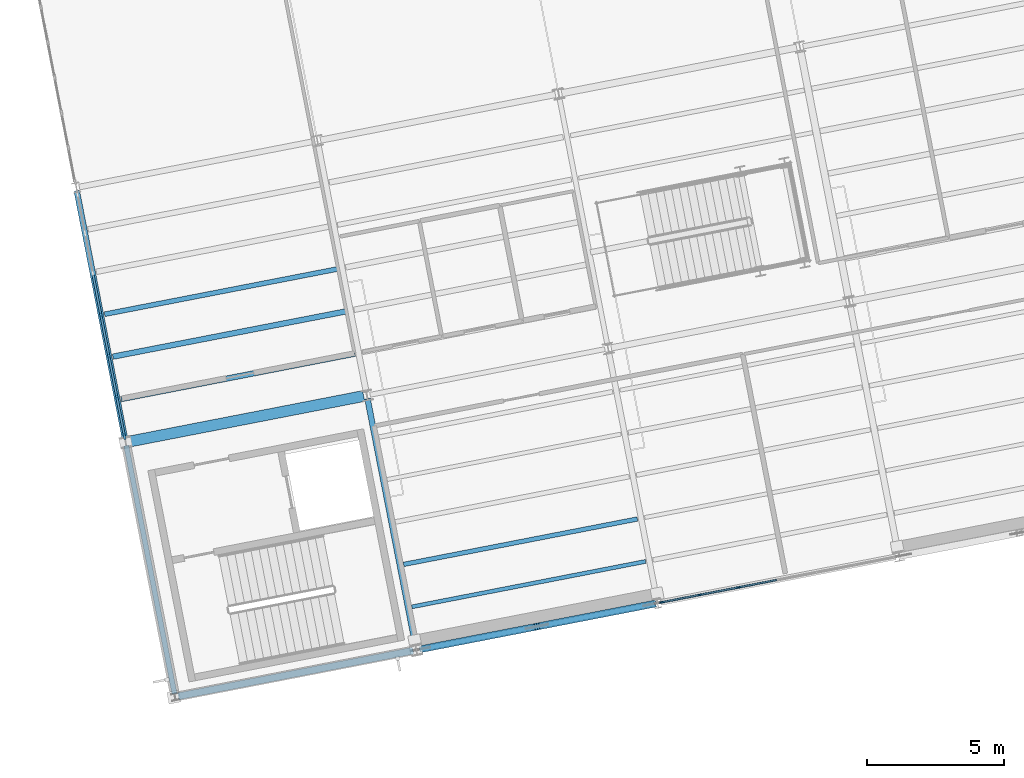
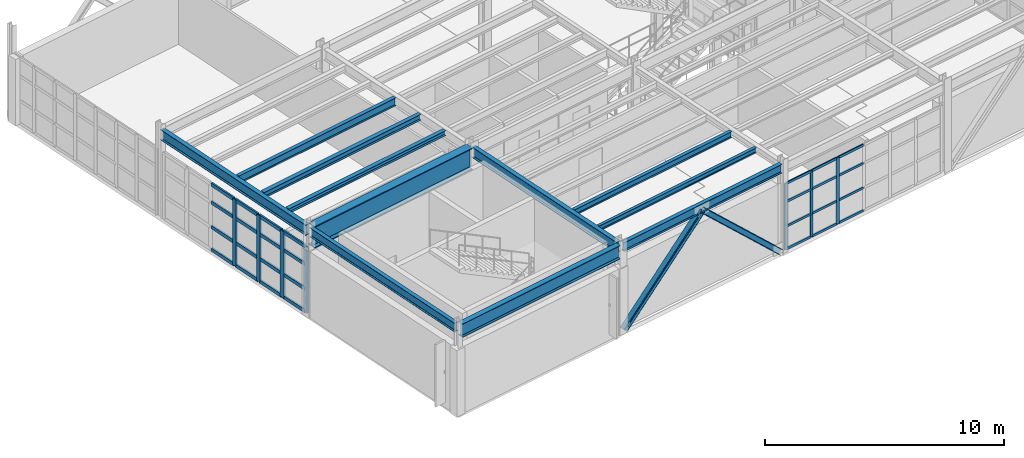
# One storey, part 20 of 109: 37 members, 11 beams, 2 elements without a shape of their own.
"""IFC4 building model written with IfcOpenShell, lengths in metres."""

from ifc_helpers import new_model, si_unit, direction, frame, origin, origin_2d, place, context, subcontext, project, spatial, rectangle, i_section, extrude, material, layer, layer_set, material_profile, profile_set, type_object, element, aggregate, save


model = new_model("IFC4")

# Units and contexts
model_context = context("Model", 3, precision=1e-05, world=origin(), true_north=direction((0.0, 1.0)))
body_context = subcontext(model_context, "Body", "Model", "MODEL_VIEW")
ifc_project = project(units=[si_unit("LENGTHUNIT", "METRE"), si_unit("AREAUNIT", "SQUARE_METRE"), si_unit("VOLUMEUNIT", "CUBIC_METRE"), si_unit("PLANEANGLEUNIT", "RADIAN"), si_unit("MASSUNIT", "GRAM", prefix="KILO")], contexts=[model_context])

# Site, building, storey
site_placement = place(None, origin())
site = spatial("IfcSite", under=ifc_project, at=site_placement, CompositionType="ELEMENT")
building_placement = place(site_placement, origin())
building = spatial("IfcBuilding", under=site, at=building_placement, Name="Vireo Bluff Cable Station", CompositionType="ELEMENT")
storey_placement = place(building_placement, frame((0.0, 0.0, 4.800048828125)))
storey = spatial("IfcBuildingStorey", under=building, at=storey_placement, Name="L01", CompositionType="ELEMENT", Elevation=4.800048828125)

# Beam
ifc_material_1 = material(Name="Steel ASTM A992 Gr. 50", Category="steel")
ifc_material_profile_1 = material_profile(ifc_material_1, i_section(OverallWidth=0.2099609375, OverallDepth=0.535888671875, WebThickness=0.010986328125, FlangeThickness=0.017333984375, FilletRadius=0.012939453125, at=origin_2d()), Name="W21X68")
ifc_profile_set_1 = profile_set([ifc_material_profile_1], Name="Steel ASTM A992 Gr. 50")
beam_type_1 = type_object("IfcBeamType", Name="BM-W21X68", PredefinedType="BEAM", material=ifc_profile_set_1)
beam_1_placement = place(storey_placement, frame((18.311767578125, 7.3349609375, 4.27197265625), z_axis=(-0.190799797627, 0.981628971264, 0.0), x_axis=(-0.981628971264, -0.190799797627, 0.0)))
element("IfcBeam", 1, at=beam_1_placement, inside=storey, type_object=beam_type_1, Name="V5 L01 beam 1206", PredefinedType="BEAM", context=body_context, shape_type="SweptSolid", body=[
    extrude(i_section(OverallWidth=0.2099609375, OverallDepth=0.535888671875, WebThickness=0.010986328125, FlangeThickness=0.017333984375, FilletRadius=0.012939453125, at=origin_2d()), origin(), (0.0, 0.0, 1.0), 9.26025390625),
])

# Members
ifc_material_profile_2 = material_profile(ifc_material_1, i_section(OverallWidth=0.2548828125, OverallDepth=0.256103515625, WebThickness=0.009521484375, FlangeThickness=0.015625, FilletRadius=0.009033203125, at=origin_2d()), Name="W10X54")
ifc_profile_set_2 = profile_set([ifc_material_profile_2], Name="Steel ASTM A992 Gr. 50")
member_type_1 = type_object("IfcMemberType", Name="BRC-02", PredefinedType="BRACE", material=ifc_profile_set_2)
member_1_placement = place(storey_placement, frame((18.49169921875, 7.247802734375, 0.0400390625), z_axis=(0.710296245471, 0.138070192816, 0.690228850111), x_axis=(-0.190812443151, 0.981626513262, 0.0)))
element("IfcMember", 2, at=member_1_placement, inside=storey, type_object=member_type_1, Name="V5 L01 concentric brace 97L", PredefinedType="BRACE", context=body_context, shape_type="SweptSolid", body=[
    extrude(i_section(OverallWidth=0.2548828125, OverallDepth=0.256103515625, WebThickness=0.009521484375, FlangeThickness=0.015625, FilletRadius=0.009033203125, at=origin_2d()), origin(), (0.0, 0.0, 1.0), 5.997802734375),
])
ifc_material_profile_3 = material_profile(ifc_material_1, i_section(OverallWidth=0.257080078125, OverallDepth=0.263916015625, WebThickness=0.011962890625, FlangeThickness=0.01953125, FilletRadius=0.009033203125, at=origin_2d()), Name="W10X68")
ifc_profile_set_3 = profile_set([ifc_material_profile_3], Name="Steel ASTM A992 Gr. 50")
member_type_2 = type_object("IfcMemberType", Name="BRC-03", PredefinedType="BRACE", material=ifc_profile_set_3)
member_2_placement = place(storey_placement, frame((27.01220703125, 8.904052734375, 0.0400390625), z_axis=(-0.710296245471, -0.138070192816, 0.690228850111), x_axis=(0.190812443151, -0.981626513262, 0.0)))
element("IfcMember", 3, at=member_2_placement, inside=storey, type_object=member_type_2, Name="V5 L01 concentric brace 98R", PredefinedType="BRACE", context=body_context, shape_type="SweptSolid", body=[
    extrude(i_section(OverallWidth=0.257080078125, OverallDepth=0.263916015625, WebThickness=0.011962890625, FlangeThickness=0.01953125, FilletRadius=0.009033203125, at=origin_2d()), origin(), (0.0, 0.0, 1.0), 5.997802734375),
])

# Curtain wall, members
ifc_material_2 = material(Name="Anodized Aluminium 6063-T6", Category="aluminium")
ifc_layer_1 = layer(ifc_material_2, 0.179931640625, Name="Anodized Aluminium 6063-T6")
ifc_layer_set_1 = layer_set([ifc_layer_1], Name="Anodized Aluminium 6063-T6")
curtain_wall_type_1 = type_object("IfcCurtainWallType", Name="CW-UNIT-1500", PredefinedType="USERDEFINED", material=ifc_layer_set_1)
curtain_wall_1_placement = place(storey_placement, origin())
curtain_wall_1 = element("IfcCurtainWall", 4, at=curtain_wall_1_placement, inside=storey, type_object=curtain_wall_type_1, Name="V5 L01 south curtain wall CW-118", ObjectType="UNITISED CURTAIN WALL", PredefinedType="USERDEFINED")
ifc_material_profile_4 = material_profile(ifc_material_2, rectangle(XDim=0.06005859375, YDim=0.159912109375, at=origin_2d()), Name="ALU-M-60X160")
ifc_profile_set_4 = profile_set([ifc_material_profile_4], Name="Anodized Aluminium 6063-T6")
member_type_3 = type_object("IfcMemberType", Name="CWM-03", PredefinedType="MULLION", material=ifc_profile_set_4)
member_3_placement = place(storey_placement, frame((30.138427734375, 9.51171875, 0.0), z_axis=(0.0, 0.0, 1.0), x_axis=(0.190809095431, -0.981627163999, 0.0)))
member_3 = element("IfcMember", 5, at=member_3_placement, type_object=member_type_3, Name="CW-118 mullion 5", PredefinedType="MULLION", context=body_context, shape_type="SweptSolid", body=[
    extrude(rectangle(XDim=0.06005859375, YDim=0.159912109375, at=origin_2d()), origin(), (0.0, 0.0, 1.0), 3.39990234375),
])
member_4_placement = place(storey_placement, frame((28.7177734375, 9.235595703125, 0.0), z_axis=(0.0, 0.0, 1.0), x_axis=(0.190809095431, -0.981627163999, 0.0)))
member_4 = element("IfcMember", 6, at=member_4_placement, type_object=member_type_3, Name="CW-118 mullion 6", PredefinedType="MULLION", context=body_context, shape_type="SweptSolid", body=[
    extrude(rectangle(XDim=0.06005859375, YDim=0.159912109375, at=origin_2d()), origin(), (0.0, 0.0, 1.0), 3.39990234375),
])
member_5_placement = place(storey_placement, frame((27.326904296875, 8.965087890625, 0.0), z_axis=(0.0, 0.0, 1.0), x_axis=(0.190809095431, -0.981627163999, 0.0)))
member_5 = element("IfcMember", 7, at=member_5_placement, type_object=member_type_3, Name="CW-118 mullion 7", PredefinedType="MULLION", context=body_context, shape_type="SweptSolid", body=[
    extrude(rectangle(XDim=0.06005859375, YDim=0.159912109375, at=origin_2d()), origin(), (0.0, 0.0, 1.0), 3.39990234375),
])

ifc_layer_2 = layer(ifc_material_2, 0.179931640625, Name="Anodized Aluminium 6063-T6")
ifc_layer_set_2 = layer_set([ifc_layer_2], Name="Anodized Aluminium 6063-T6")
curtain_wall_type_2 = type_object("IfcCurtainWallType", Name="CW-UNIT-1650", PredefinedType="USERDEFINED", material=ifc_layer_set_2)
curtain_wall_2_placement = place(storey_placement, origin())
curtain_wall_2 = element("IfcCurtainWall", 8, at=curtain_wall_2_placement, inside=storey, type_object=curtain_wall_type_2, Name="V5 L01 west curtain wall CW-119", ObjectType="UNITISED CURTAIN WALL", PredefinedType="USERDEFINED")
ifc_material_profile_5 = material_profile(ifc_material_2, rectangle(XDim=0.080078125, YDim=0.239990234375, at=origin_2d()), Name="ALU-M-80X240")
ifc_profile_set_5 = profile_set([ifc_material_profile_5], Name="Anodized Aluminium 6063-T6")
member_type_4 = type_object("IfcMemberType", Name="CWM-04", PredefinedType="MULLION", material=ifc_profile_set_5)
member_6_placement = place(storey_placement, frame((7.64501953125, 15.04345703125, 0.0), z_axis=(0.0, 0.0, 1.0), x_axis=(-0.981627201165, -0.190808904231, 0.0)))
member_6 = element("IfcMember", 9, at=member_6_placement, type_object=member_type_4, Name="CW-119 mullion 1", PredefinedType="MULLION", context=body_context, shape_type="SweptSolid", body=[
    extrude(rectangle(XDim=0.080078125, YDim=0.239990234375, at=origin_2d()), origin(), (0.0, 0.0, 1.0), 3.39990234375),
])
member_7_placement = place(storey_placement, frame((7.362060546875, 16.49853515625, 0.0), z_axis=(0.0, 0.0, 1.0), x_axis=(-0.981627201165, -0.190808904231, 0.0)))
member_7 = element("IfcMember", 10, at=member_7_placement, type_object=member_type_4, Name="CW-119 mullion 2", PredefinedType="MULLION", context=body_context, shape_type="SweptSolid", body=[
    extrude(rectangle(XDim=0.080078125, YDim=0.239990234375, at=origin_2d()), origin(), (0.0, 0.0, 1.0), 3.39990234375),
])
member_8_placement = place(storey_placement, frame((7.071533203125, 17.992919921875, 0.0), z_axis=(0.0, 0.0, 1.0), x_axis=(-0.981627201165, -0.190808904231, 0.0)))
member_8 = element("IfcMember", 11, at=member_8_placement, type_object=member_type_4, Name="CW-119 mullion 3", PredefinedType="MULLION", context=body_context, shape_type="SweptSolid", body=[
    extrude(rectangle(XDim=0.080078125, YDim=0.239990234375, at=origin_2d()), origin(), (0.0, 0.0, 1.0), 3.39990234375),
])
member_9_placement = place(storey_placement, frame((6.781005859375, 19.487548828125, 0.0), z_axis=(0.0, 0.0, 1.0), x_axis=(-0.981627201165, -0.190808904231, 0.0)))
member_9 = element("IfcMember", 12, at=member_9_placement, type_object=member_type_4, Name="CW-119 mullion 4", PredefinedType="MULLION", context=body_context, shape_type="SweptSolid", body=[
    extrude(rectangle(XDim=0.080078125, YDim=0.239990234375, at=origin_2d()), origin(), (0.0, 0.0, 1.0), 3.39990234375),
])

# Member
ifc_material_profile_6 = material_profile(ifc_material_2, rectangle(XDim=0.06005859375, YDim=0.1201171875, at=origin_2d()), Name="ALU-T-60X120")
ifc_profile_set_6 = profile_set([ifc_material_profile_6], Name="Anodized Aluminium 6063-T6")
member_type_5 = type_object("IfcMemberType", Name="CWT-03", PredefinedType="USERDEFINED", material=ifc_profile_set_6)
member_10_placement = place(storey_placement, frame((31.529541015625, 9.781982421875, 0.030029296875), z_axis=(-0.981635533974, -0.190766030625, 0.0), x_axis=(0.190766030625, -0.981635533974, 0.0)))
member_10 = element("IfcMember", 13, at=member_10_placement, type_object=member_type_5, Name="CW-118 transom 4.1", ObjectType="TRANSOM", PredefinedType="USERDEFINED", context=body_context, shape_type="SweptSolid", body=[
    extrude(rectangle(XDim=0.06005859375, YDim=0.1201171875, at=origin_2d()), origin(), (0.0, 0.0, 1.0), 1.38720703125),
])

member_11_placement = place(storey_placement, frame((31.529541015625, 9.781982421875, 1.18994140625), z_axis=(-0.981635533974, -0.190766030625, 0.0), x_axis=(0.190766030625, -0.981635533974, 0.0)))
member_11 = element("IfcMember", 14, at=member_11_placement, type_object=member_type_5, Name="CW-118 transom 4.2", ObjectType="TRANSOM", PredefinedType="USERDEFINED", context=body_context, shape_type="SweptSolid", body=[
    extrude(rectangle(XDim=0.06005859375, YDim=0.1201171875, at=origin_2d()), origin(), (0.0, 0.0, 1.0), 1.38720703125),
])

member_12_placement = place(storey_placement, frame((31.529541015625, 9.781982421875, 2.447998046875), z_axis=(-0.981635533974, -0.190766030625, 0.0), x_axis=(0.190766030625, -0.981635533974, 0.0)))
member_12 = element("IfcMember", 15, at=member_12_placement, type_object=member_type_5, Name="CW-118 transom 4.3", ObjectType="TRANSOM", PredefinedType="USERDEFINED", context=body_context, shape_type="SweptSolid", body=[
    extrude(rectangle(XDim=0.06005859375, YDim=0.1201171875, at=origin_2d()), origin(), (0.0, 0.0, 1.0), 1.38720703125),
])

member_13_placement = place(storey_placement, frame((31.529541015625, 9.781982421875, 3.369873046875), z_axis=(-0.981635533974, -0.190766030625, 0.0), x_axis=(0.190766030625, -0.981635533974, 0.0)))
member_13 = element("IfcMember", 16, at=member_13_placement, type_object=member_type_5, Name="CW-118 transom 4.4", ObjectType="TRANSOM", PredefinedType="USERDEFINED", context=body_context, shape_type="SweptSolid", body=[
    extrude(rectangle(XDim=0.06005859375, YDim=0.1201171875, at=origin_2d()), origin(), (0.0, 0.0, 1.0), 1.38720703125),
])

member_14_placement = place(storey_placement, frame((30.10888671875, 9.505859375, 0.030029296875), z_axis=(-0.981629127981, -0.190798991345, 0.0), x_axis=(0.190798991345, -0.981629127981, 0.0)))
member_14 = element("IfcMember", 17, at=member_14_placement, type_object=member_type_5, Name="CW-118 transom 5.1", ObjectType="TRANSOM", PredefinedType="USERDEFINED", context=body_context, shape_type="SweptSolid", body=[
    extrude(rectangle(XDim=0.06005859375, YDim=0.1201171875, at=origin_2d()), origin(), (0.0, 0.0, 1.0), 1.386962890625),
])

member_15_placement = place(storey_placement, frame((30.10888671875, 9.505859375, 1.18994140625), z_axis=(-0.981629127981, -0.190798991345, 0.0), x_axis=(0.190798991345, -0.981629127981, 0.0)))
member_15 = element("IfcMember", 18, at=member_15_placement, type_object=member_type_5, Name="CW-118 transom 5.2", ObjectType="TRANSOM", PredefinedType="USERDEFINED", context=body_context, shape_type="SweptSolid", body=[
    extrude(rectangle(XDim=0.06005859375, YDim=0.1201171875, at=origin_2d()), origin(), (0.0, 0.0, 1.0), 1.386962890625),
])

member_16_placement = place(storey_placement, frame((30.10888671875, 9.505859375, 2.447998046875), z_axis=(-0.981629127981, -0.190798991345, 0.0), x_axis=(0.190798991345, -0.981629127981, 0.0)))
member_16 = element("IfcMember", 19, at=member_16_placement, type_object=member_type_5, Name="CW-118 transom 5.3", ObjectType="TRANSOM", PredefinedType="USERDEFINED", context=body_context, shape_type="SweptSolid", body=[
    extrude(rectangle(XDim=0.06005859375, YDim=0.1201171875, at=origin_2d()), origin(), (0.0, 0.0, 1.0), 1.386962890625),
])

member_17_placement = place(storey_placement, frame((30.10888671875, 9.505859375, 3.369873046875), z_axis=(-0.981629127981, -0.190798991345, 0.0), x_axis=(0.190798991345, -0.981629127981, 0.0)))
member_17 = element("IfcMember", 20, at=member_17_placement, type_object=member_type_5, Name="CW-118 transom 5.4", ObjectType="TRANSOM", PredefinedType="USERDEFINED", context=body_context, shape_type="SweptSolid", body=[
    extrude(rectangle(XDim=0.06005859375, YDim=0.1201171875, at=origin_2d()), origin(), (0.0, 0.0, 1.0), 1.386962890625),
])

member_18_placement = place(storey_placement, frame((28.6884765625, 9.229736328125, 0.030029296875), z_axis=(-0.981651884405, -0.190681876025, 0.0), x_axis=(0.190681876025, -0.981651884405, 0.0)))
member_18 = element("IfcMember", 21, at=member_18_placement, type_object=member_type_5, Name="CW-118 transom 6.1", ObjectType="TRANSOM", PredefinedType="USERDEFINED", context=body_context, shape_type="SweptSolid", body=[
    extrude(rectangle(XDim=0.06005859375, YDim=0.1201171875, at=origin_2d()), origin(), (0.0, 0.0, 1.0), 1.357177734375),
])

member_19_placement = place(storey_placement, frame((28.6884765625, 9.229736328125, 1.18994140625), z_axis=(-0.981651884405, -0.190681876025, 0.0), x_axis=(0.190681876025, -0.981651884405, 0.0)))
member_19 = element("IfcMember", 22, at=member_19_placement, type_object=member_type_5, Name="CW-118 transom 6.2", ObjectType="TRANSOM", PredefinedType="USERDEFINED", context=body_context, shape_type="SweptSolid", body=[
    extrude(rectangle(XDim=0.06005859375, YDim=0.1201171875, at=origin_2d()), origin(), (0.0, 0.0, 1.0), 1.357177734375),
])

member_20_placement = place(storey_placement, frame((28.6884765625, 9.229736328125, 2.447998046875), z_axis=(-0.981651884405, -0.190681876025, 0.0), x_axis=(0.190681876025, -0.981651884405, 0.0)))
member_20 = element("IfcMember", 23, at=member_20_placement, type_object=member_type_5, Name="CW-118 transom 6.3", ObjectType="TRANSOM", PredefinedType="USERDEFINED", context=body_context, shape_type="SweptSolid", body=[
    extrude(rectangle(XDim=0.06005859375, YDim=0.1201171875, at=origin_2d()), origin(), (0.0, 0.0, 1.0), 1.357177734375),
])

member_21_placement = place(storey_placement, frame((28.6884765625, 9.229736328125, 3.369873046875), z_axis=(-0.981651884405, -0.190681876025, 0.0), x_axis=(0.190681876025, -0.981651884405, 0.0)))
member_21 = element("IfcMember", 24, at=member_21_placement, type_object=member_type_5, Name="CW-118 transom 6.4", ObjectType="TRANSOM", PredefinedType="USERDEFINED", context=body_context, shape_type="SweptSolid", body=[
    extrude(rectangle(XDim=0.06005859375, YDim=0.1201171875, at=origin_2d()), origin(), (0.0, 0.0, 1.0), 1.357177734375),
])

aggregate(curtain_wall_1, [member_3, member_4, member_5, member_10, member_11, member_12, member_13, member_14, member_15, member_16, member_17, member_18, member_19, member_20, member_21])

ifc_material_profile_7 = material_profile(ifc_material_2, rectangle(XDim=0.080078125, YDim=0.175048828125, at=origin_2d()), Name="ALU-T-80X175")
ifc_profile_set_7 = profile_set([ifc_material_profile_7], Name="Anodized Aluminium 6063-T6")
member_type_6 = type_object("IfcMemberType", Name="CWT-04", PredefinedType="USERDEFINED", material=ifc_profile_set_7)
member_22_placement = place(storey_placement, frame((7.63720703125, 15.082763671875, 0.0400390625), z_axis=(-0.190823057321, 0.981624449978, 0.0), x_axis=(-0.981624449978, -0.190823057321, 0.0)))
member_22 = element("IfcMember", 25, at=member_22_placement, type_object=member_type_6, Name="CW-119 transom 1.1", ObjectType="TRANSOM", PredefinedType="USERDEFINED", context=body_context, shape_type="SweptSolid", body=[
    extrude(rectangle(XDim=0.080078125, YDim=0.175048828125, at=origin_2d()), origin(), (0.0, 0.0, 1.0), 1.40234375),
])

member_23_placement = place(storey_placement, frame((7.63720703125, 15.082763671875, 1.18994140625), z_axis=(-0.190823057321, 0.981624449978, 0.0), x_axis=(-0.981624449978, -0.190823057321, 0.0)))
member_23 = element("IfcMember", 26, at=member_23_placement, type_object=member_type_6, Name="CW-119 transom 1.2", ObjectType="TRANSOM", PredefinedType="USERDEFINED", context=body_context, shape_type="SweptSolid", body=[
    extrude(rectangle(XDim=0.080078125, YDim=0.175048828125, at=origin_2d()), origin(), (0.0, 0.0, 1.0), 1.40234375),
])

member_24_placement = place(storey_placement, frame((7.63720703125, 15.082763671875, 2.447998046875), z_axis=(-0.190823057321, 0.981624449978, 0.0), x_axis=(-0.981624449978, -0.190823057321, 0.0)))
member_24 = element("IfcMember", 27, at=member_24_placement, type_object=member_type_6, Name="CW-119 transom 1.3", ObjectType="TRANSOM", PredefinedType="USERDEFINED", context=body_context, shape_type="SweptSolid", body=[
    extrude(rectangle(XDim=0.080078125, YDim=0.175048828125, at=origin_2d()), origin(), (0.0, 0.0, 1.0), 1.40234375),
])

member_25_placement = place(storey_placement, frame((7.63720703125, 15.082763671875, 3.35986328125), z_axis=(-0.190823057321, 0.981624449978, 0.0), x_axis=(-0.981624449978, -0.190823057321, 0.0)))
member_25 = element("IfcMember", 28, at=member_25_placement, type_object=member_type_6, Name="CW-119 transom 1.4", ObjectType="TRANSOM", PredefinedType="USERDEFINED", context=body_context, shape_type="SweptSolid", body=[
    extrude(rectangle(XDim=0.080078125, YDim=0.175048828125, at=origin_2d()), origin(), (0.0, 0.0, 1.0), 1.40234375),
])

member_26_placement = place(storey_placement, frame((7.3544921875, 16.537841796875, 0.0400390625), z_axis=(-0.190742815672, 0.981640045164, 0.0), x_axis=(-0.981640045164, -0.190742815672, 0.0)))
member_26 = element("IfcMember", 29, at=member_26_placement, type_object=member_type_6, Name="CW-119 transom 2.1", ObjectType="TRANSOM", PredefinedType="USERDEFINED", context=body_context, shape_type="SweptSolid", body=[
    extrude(rectangle(XDim=0.080078125, YDim=0.175048828125, at=origin_2d()), origin(), (0.0, 0.0, 1.0), 1.4423828125),
])

member_27_placement = place(storey_placement, frame((7.3544921875, 16.537841796875, 1.18994140625), z_axis=(-0.190742815672, 0.981640045164, 0.0), x_axis=(-0.981640045164, -0.190742815672, 0.0)))
member_27 = element("IfcMember", 30, at=member_27_placement, type_object=member_type_6, Name="CW-119 transom 2.2", ObjectType="TRANSOM", PredefinedType="USERDEFINED", context=body_context, shape_type="SweptSolid", body=[
    extrude(rectangle(XDim=0.080078125, YDim=0.175048828125, at=origin_2d()), origin(), (0.0, 0.0, 1.0), 1.4423828125),
])

member_28_placement = place(storey_placement, frame((7.3544921875, 16.537841796875, 2.447998046875), z_axis=(-0.190742815672, 0.981640045164, 0.0), x_axis=(-0.981640045164, -0.190742815672, 0.0)))
member_28 = element("IfcMember", 31, at=member_28_placement, type_object=member_type_6, Name="CW-119 transom 2.3", ObjectType="TRANSOM", PredefinedType="USERDEFINED", context=body_context, shape_type="SweptSolid", body=[
    extrude(rectangle(XDim=0.080078125, YDim=0.175048828125, at=origin_2d()), origin(), (0.0, 0.0, 1.0), 1.4423828125),
])

member_29_placement = place(storey_placement, frame((7.3544921875, 16.537841796875, 3.35986328125), z_axis=(-0.190742815672, 0.981640045164, 0.0), x_axis=(-0.981640045164, -0.190742815672, 0.0)))
member_29 = element("IfcMember", 32, at=member_29_placement, type_object=member_type_6, Name="CW-119 transom 2.4", ObjectType="TRANSOM", PredefinedType="USERDEFINED", context=body_context, shape_type="SweptSolid", body=[
    extrude(rectangle(XDim=0.080078125, YDim=0.175048828125, at=origin_2d()), origin(), (0.0, 0.0, 1.0), 1.4423828125),
])

member_30_placement = place(storey_placement, frame((7.06396484375, 18.0322265625, 0.0400390625), z_axis=(-0.190742815672, 0.981640045164, 0.0), x_axis=(-0.981640045164, -0.190742815672, 0.0)))
member_30 = element("IfcMember", 33, at=member_30_placement, type_object=member_type_6, Name="CW-119 transom 3.1", ObjectType="TRANSOM", PredefinedType="USERDEFINED", context=body_context, shape_type="SweptSolid", body=[
    extrude(rectangle(XDim=0.080078125, YDim=0.175048828125, at=origin_2d()), origin(), (0.0, 0.0, 1.0), 1.4423828125),
])

member_31_placement = place(storey_placement, frame((7.06396484375, 18.0322265625, 1.18994140625), z_axis=(-0.190742815672, 0.981640045164, 0.0), x_axis=(-0.981640045164, -0.190742815672, 0.0)))
member_31 = element("IfcMember", 34, at=member_31_placement, type_object=member_type_6, Name="CW-119 transom 3.2", ObjectType="TRANSOM", PredefinedType="USERDEFINED", context=body_context, shape_type="SweptSolid", body=[
    extrude(rectangle(XDim=0.080078125, YDim=0.175048828125, at=origin_2d()), origin(), (0.0, 0.0, 1.0), 1.4423828125),
])

member_32_placement = place(storey_placement, frame((7.06396484375, 18.0322265625, 2.447998046875), z_axis=(-0.190742815672, 0.981640045164, 0.0), x_axis=(-0.981640045164, -0.190742815672, 0.0)))
member_32 = element("IfcMember", 35, at=member_32_placement, type_object=member_type_6, Name="CW-119 transom 3.3", ObjectType="TRANSOM", PredefinedType="USERDEFINED", context=body_context, shape_type="SweptSolid", body=[
    extrude(rectangle(XDim=0.080078125, YDim=0.175048828125, at=origin_2d()), origin(), (0.0, 0.0, 1.0), 1.4423828125),
])

member_33_placement = place(storey_placement, frame((7.06396484375, 18.0322265625, 3.35986328125), z_axis=(-0.190742815672, 0.981640045164, 0.0), x_axis=(-0.981640045164, -0.190742815672, 0.0)))
member_33 = element("IfcMember", 36, at=member_33_placement, type_object=member_type_6, Name="CW-119 transom 3.4", ObjectType="TRANSOM", PredefinedType="USERDEFINED", context=body_context, shape_type="SweptSolid", body=[
    extrude(rectangle(XDim=0.080078125, YDim=0.175048828125, at=origin_2d()), origin(), (0.0, 0.0, 1.0), 1.4423828125),
])

member_34_placement = place(storey_placement, frame((6.7734375, 19.526611328125, 0.0400390625), z_axis=(-0.190742815672, 0.981640045164, 0.0), x_axis=(-0.981640045164, -0.190742815672, 0.0)))
member_34 = element("IfcMember", 37, at=member_34_placement, type_object=member_type_6, Name="CW-119 transom 4.1", ObjectType="TRANSOM", PredefinedType="USERDEFINED", context=body_context, shape_type="SweptSolid", body=[
    extrude(rectangle(XDim=0.080078125, YDim=0.175048828125, at=origin_2d()), origin(), (0.0, 0.0, 1.0), 1.4423828125),
])

member_35_placement = place(storey_placement, frame((6.7734375, 19.526611328125, 1.18994140625), z_axis=(-0.190742815672, 0.981640045164, 0.0), x_axis=(-0.981640045164, -0.190742815672, 0.0)))
member_35 = element("IfcMember", 38, at=member_35_placement, type_object=member_type_6, Name="CW-119 transom 4.2", ObjectType="TRANSOM", PredefinedType="USERDEFINED", context=body_context, shape_type="SweptSolid", body=[
    extrude(rectangle(XDim=0.080078125, YDim=0.175048828125, at=origin_2d()), origin(), (0.0, 0.0, 1.0), 1.4423828125),
])

member_36_placement = place(storey_placement, frame((6.7734375, 19.526611328125, 2.447998046875), z_axis=(-0.190742815672, 0.981640045164, 0.0), x_axis=(-0.981640045164, -0.190742815672, 0.0)))
member_36 = element("IfcMember", 39, at=member_36_placement, type_object=member_type_6, Name="CW-119 transom 4.3", ObjectType="TRANSOM", PredefinedType="USERDEFINED", context=body_context, shape_type="SweptSolid", body=[
    extrude(rectangle(XDim=0.080078125, YDim=0.175048828125, at=origin_2d()), origin(), (0.0, 0.0, 1.0), 1.4423828125),
])

member_37_placement = place(storey_placement, frame((6.7734375, 19.526611328125, 3.35986328125), z_axis=(-0.190742815672, 0.981640045164, 0.0), x_axis=(-0.981640045164, -0.190742815672, 0.0)))
member_37 = element("IfcMember", 40, at=member_37_placement, type_object=member_type_6, Name="CW-119 transom 4.4", ObjectType="TRANSOM", PredefinedType="USERDEFINED", context=body_context, shape_type="SweptSolid", body=[
    extrude(rectangle(XDim=0.080078125, YDim=0.175048828125, at=origin_2d()), origin(), (0.0, 0.0, 1.0), 1.4423828125),
])

aggregate(curtain_wall_2, [member_6, member_7, member_8, member_9, member_22, member_23, member_24, member_25, member_26, member_27, member_28, member_29, member_30, member_31, member_32, member_33, member_34, member_35, member_36, member_37])

# Beams
ifc_material_profile_8 = material_profile(ifc_material_1, i_section(OverallWidth=0.404052734375, OverallDepth=1.117919921875, WebThickness=0.026123046875, FlangeThickness=0.044921875, FilletRadius=0.02197265625, at=origin_2d()), Name="W44X335")
ifc_profile_set_8 = profile_set([ifc_material_profile_8], Name="Steel ASTM A992 Gr. 50")
beam_type_2 = type_object("IfcBeamType", Name="GIR-W44X335", PredefinedType="USERDEFINED", material=ifc_profile_set_8)
beam_2_placement = place(storey_placement, frame((7.80517578125, 14.848388671875, 3.98095703125), z_axis=(0.981628586979, 0.190801774693, 0.0), x_axis=(-0.190801774693, 0.981628586979, 0.0)))
element("IfcBeam", 41, at=beam_2_placement, inside=storey, type_object=beam_type_2, Name="V5 L01 girder 1198", ObjectType="GIRDER", PredefinedType="USERDEFINED", context=body_context, shape_type="SweptSolid", body=[
    extrude(i_section(OverallWidth=0.404052734375, OverallDepth=1.117919921875, WebThickness=0.026123046875, FlangeThickness=0.044921875, FilletRadius=0.02197265625, at=origin_2d()), origin(), (0.0, 0.0, 1.0), 8.759765625),
])
ifc_material_profile_9 = material_profile(ifc_material_1, i_section(OverallWidth=0.14599609375, OverallDepth=0.259033203125, WebThickness=0.006103515625, FlangeThickness=0.009033203125, FilletRadius=0.009033203125, at=origin_2d()), Name="W10X22")
ifc_profile_set_9 = profile_set([ifc_material_profile_9], Name="Steel ASTM A992 Gr. 50")
beam_type_3 = type_object("IfcBeamType", Name="JST-W10X22", PredefinedType="JOIST", material=ifc_profile_set_9)
beam_3_placement = place(storey_placement, frame((18.169921875, 8.79833984375, 4.410400390625), z_axis=(0.981628064538, 0.190804462503, 0.0), x_axis=(-0.190804462503, 0.981628064538, 0.0)))
element("IfcBeam", 42, at=beam_3_placement, inside=storey, type_object=beam_type_3, Name="V5 L01 composite joist 1217", PredefinedType="JOIST", context=body_context, shape_type="SweptSolid", body=[
    extrude(i_section(OverallWidth=0.14599609375, OverallDepth=0.259033203125, WebThickness=0.006103515625, FlangeThickness=0.009033203125, FilletRadius=0.009033203125, at=origin_2d()), origin(), (0.0, 0.0, 1.0), 8.719970703125),
])
ifc_material_profile_10 = material_profile(ifc_material_1, i_section(OverallWidth=0.201904296875, OverallDepth=0.2470703125, WebThickness=0.00732421875, FlangeThickness=0.010986328125, FilletRadius=0.009033203125, at=origin_2d()), Name="W10X33")
ifc_profile_set_10 = profile_set([ifc_material_profile_10], Name="Steel ASTM A992 Gr. 50")
beam_type_4 = type_object("IfcBeamType", Name="JST-W10X33", PredefinedType="JOIST", material=ifc_profile_set_10)
beam_4_placement = place(storey_placement, frame((7.522705078125, 16.406494140625, 4.41650390625), z_axis=(0.981628064538, 0.190804462503, 0.0), x_axis=(-0.190804462503, 0.981628064538, 0.0)))
element("IfcBeam", 43, at=beam_4_placement, inside=storey, type_object=beam_type_4, Name="V5 L01 composite joist 1212", PredefinedType="JOIST", context=body_context, shape_type="SweptSolid", body=[
    extrude(i_section(OverallWidth=0.201904296875, OverallDepth=0.2470703125, WebThickness=0.00732421875, FlangeThickness=0.010986328125, FilletRadius=0.009033203125, at=origin_2d()), origin(), (0.0, 0.0, 1.0), 8.719970703125),
])
ifc_material_profile_11 = material_profile(ifc_material_1, i_section(OverallWidth=0.1650390625, OverallDepth=0.31005859375, WebThickness=0.005859375, FlangeThickness=0.009765625, FilletRadius=0.010009765625, at=origin_2d()), Name="W12X26")
ifc_profile_set_11 = profile_set([ifc_material_profile_11], Name="Steel ASTM A992 Gr. 50")
beam_type_5 = type_object("IfcBeamType", Name="JST-W12X26", PredefinedType="JOIST", material=ifc_profile_set_11)
beam_5_placement = place(storey_placement, frame((17.867919921875, 10.3525390625, 4.385009765625), z_axis=(0.981628064538, 0.190804462503, 0.0), x_axis=(-0.190804462503, 0.981628064538, 0.0)))
element("IfcBeam", 44, at=beam_5_placement, inside=storey, type_object=beam_type_5, Name="V5 L01 composite joist 1218", PredefinedType="JOIST", context=body_context, shape_type="SweptSolid", body=[
    extrude(i_section(OverallWidth=0.1650390625, OverallDepth=0.31005859375, WebThickness=0.005859375, FlangeThickness=0.009765625, FilletRadius=0.010009765625, at=origin_2d()), origin(), (0.0, 0.0, 1.0), 8.719970703125),
])
ifc_material_profile_12 = material_profile(ifc_material_1, i_section(OverallWidth=0.202880859375, OverallDepth=0.302978515625, WebThickness=0.007568359375, FlangeThickness=0.01318359375, FilletRadius=0.010009765625, at=origin_2d()), Name="W12X40")
ifc_profile_set_12 = profile_set([ifc_material_profile_12], Name="Steel ASTM A992 Gr. 50")
beam_type_6 = type_object("IfcBeamType", Name="JST-W12X40", PredefinedType="JOIST", material=ifc_profile_set_12)
beam_6_placement = place(storey_placement, frame((7.220458984375, 17.960693359375, 4.388427734375), z_axis=(0.981628064538, 0.190804462503, 0.0), x_axis=(-0.190804462503, 0.981628064538, 0.0)))
element("IfcBeam", 45, at=beam_6_placement, inside=storey, type_object=beam_type_6, Name="V5 L01 composite joist 1213", PredefinedType="JOIST", context=body_context, shape_type="SweptSolid", body=[
    extrude(i_section(OverallWidth=0.202880859375, OverallDepth=0.302978515625, WebThickness=0.007568359375, FlangeThickness=0.01318359375, FilletRadius=0.010009765625, at=origin_2d()), origin(), (0.0, 0.0, 1.0), 8.719970703125),
])
ifc_material_profile_13 = material_profile(ifc_material_1, i_section(OverallWidth=0.177978515625, OverallDepth=0.404052734375, WebThickness=0.007568359375, FlangeThickness=0.010986328125, FilletRadius=0.010009765625, at=origin_2d()), Name="W16X36")
ifc_profile_set_13 = profile_set([ifc_material_profile_13], Name="Steel ASTM A992 Gr. 50")
beam_type_7 = type_object("IfcBeamType", Name="JST-W16X36", PredefinedType="JOIST", material=ifc_profile_set_13)
beam_7_placement = place(storey_placement, frame((6.91845703125, 19.514892578125, 4.337890625), z_axis=(0.981628064538, 0.190804462503, 0.0), x_axis=(-0.190804462503, 0.981628064538, 0.0)))
element("IfcBeam", 46, at=beam_7_placement, inside=storey, type_object=beam_type_7, Name="V5 L01 composite joist 1214", PredefinedType="JOIST", context=body_context, shape_type="SweptSolid", body=[
    extrude(i_section(OverallWidth=0.177978515625, OverallDepth=0.404052734375, WebThickness=0.007568359375, FlangeThickness=0.010986328125, FilletRadius=0.010009765625, at=origin_2d()), origin(), (0.0, 0.0, 1.0), 8.719970703125),
])
ifc_material_profile_14 = material_profile(ifc_material_1, i_section(OverallWidth=0.19091796875, OverallDepth=0.45703125, WebThickness=0.009033203125, FlangeThickness=0.014404296875, FilletRadius=0.011962890625, at=origin_2d()), Name="W18X50")
ifc_profile_set_14 = profile_set([ifc_material_profile_14], Name="Steel ASTM A992 Gr. 50")
beam_type_8 = type_object("IfcBeamType", Name="SPN-W18X50", PredefinedType="SPANDREL", material=ifc_profile_set_14)
beam_8_placement = place(storey_placement, frame((18.452392578125, 7.240234375, 4.3115234375), z_axis=(0.981629601573, 0.190796554777, 0.0), x_axis=(-0.190796554777, 0.981629601573, 0.0)))
element("IfcBeam", 47, at=beam_8_placement, inside=storey, type_object=beam_type_8, Name="V5 L01 spandrel 1196", PredefinedType="SPANDREL", context=body_context, shape_type="SweptSolid", body=[
    extrude(i_section(OverallWidth=0.19091796875, OverallDepth=0.45703125, WebThickness=0.009033203125, FlangeThickness=0.014404296875, FilletRadius=0.011962890625, at=origin_2d()), origin(), (0.0, 0.0, 1.0), 8.760009765625),
])
beam_9_placement = place(storey_placement, frame((9.47705078125, 5.61767578125, 4.3115234375), z_axis=(-0.190799797627, 0.981628971264, 0.0), x_axis=(-0.981628971264, -0.190799797627, 0.0)))
element("IfcBeam", 48, at=beam_9_placement, inside=storey, type_object=beam_type_8, Name="V5 L01 spandrel 1204", PredefinedType="SPANDREL", context=body_context, shape_type="SweptSolid", body=[
    extrude(i_section(OverallWidth=0.19091796875, OverallDepth=0.45703125, WebThickness=0.009033203125, FlangeThickness=0.014404296875, FilletRadius=0.011962890625, at=origin_2d()), origin(), (0.0, 0.0, 1.0), 9.26025390625),
])
ifc_material_profile_15 = material_profile(ifc_material_1, i_section(OverallWidth=0.2099609375, OverallDepth=0.535888671875, WebThickness=0.010986328125, FlangeThickness=0.017333984375, FilletRadius=0.012939453125, at=origin_2d()), Name="W21X68")
ifc_profile_set_15 = profile_set([ifc_material_profile_15], Name="Steel ASTM A992 Gr. 50")
beam_type_9 = type_object("IfcBeamType", Name="SPN-W21X68", PredefinedType="SPANDREL", material=ifc_profile_set_15)
beam_10_placement = place(storey_placement, frame((7.664306640625, 14.943359375, 4.27197265625), z_axis=(-0.190804735679, 0.981628011439, 0.0), x_axis=(-0.981628011439, -0.190804735679, 0.0)))
element("IfcBeam", 49, at=beam_10_placement, inside=storey, type_object=beam_type_9, Name="V5 L01 spandrel 1205", PredefinedType="SPANDREL", context=body_context, shape_type="SweptSolid", body=[
    extrude(i_section(OverallWidth=0.2099609375, OverallDepth=0.535888671875, WebThickness=0.010986328125, FlangeThickness=0.017333984375, FilletRadius=0.012939453125, at=origin_2d()), origin(), (0.0, 0.0, 1.0), 9.260009765625),
])
ifc_material_profile_16 = material_profile(ifc_material_1, i_section(OverallWidth=0.257080078125, OverallDepth=0.693115234375, WebThickness=0.014404296875, FlangeThickness=0.023681640625, FilletRadius=0.014892578125, at=origin_2d()), Name="W27X114")
ifc_profile_set_16 = profile_set([ifc_material_profile_16], Name="Steel ASTM A992 Gr. 50")
beam_type_10 = type_object("IfcBeamType", Name="SPN-W27X114", PredefinedType="SPANDREL", material=ifc_profile_set_16)
beam_11_placement = place(storey_placement, frame((9.61767578125, 5.52294921875, 4.193359375), z_axis=(0.981629601573, 0.190796554777, 0.0), x_axis=(-0.190796554777, 0.981629601573, 0.0)))
element("IfcBeam", 50, at=beam_11_placement, inside=storey, type_object=beam_type_10, Name="V5 L01 spandrel 1195", PredefinedType="SPANDREL", context=body_context, shape_type="SweptSolid", body=[
    extrude(i_section(OverallWidth=0.257080078125, OverallDepth=0.693115234375, WebThickness=0.014404296875, FlangeThickness=0.023681640625, FilletRadius=0.014892578125, at=origin_2d()), origin(), (0.0, 0.0, 1.0), 8.760009765625),
])

save(model, "model.ifc")
